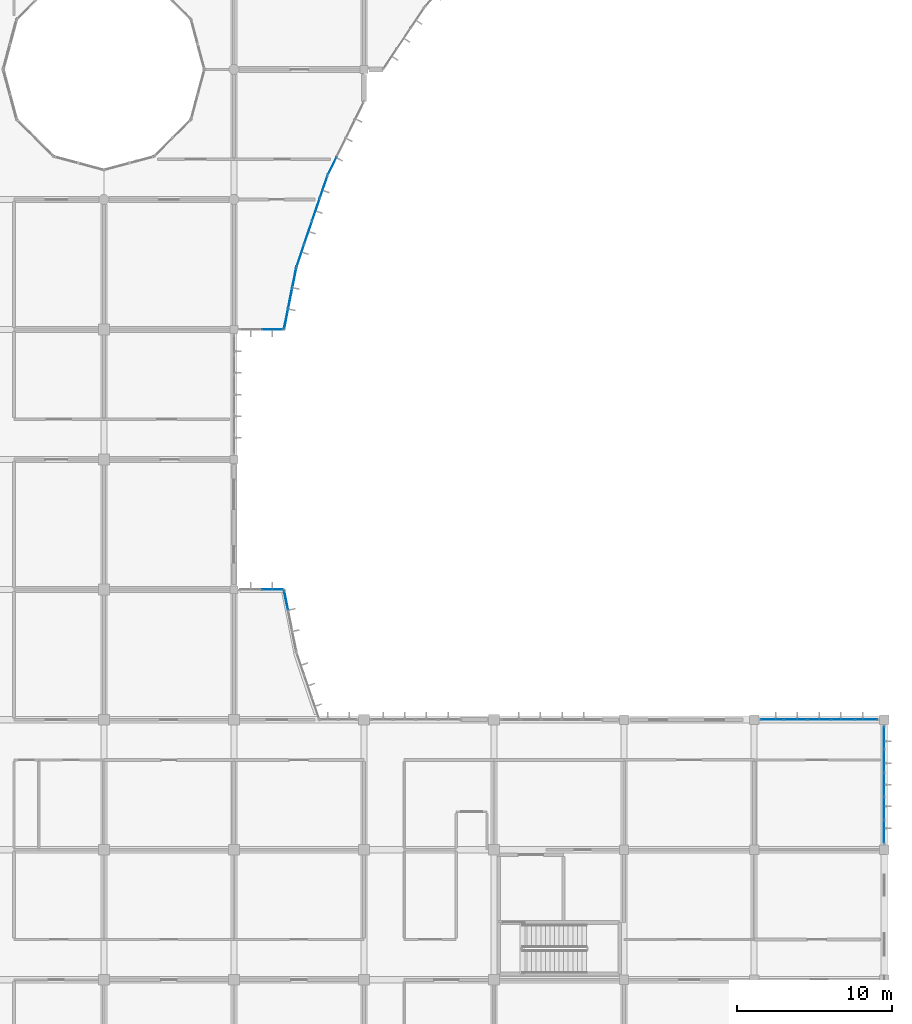
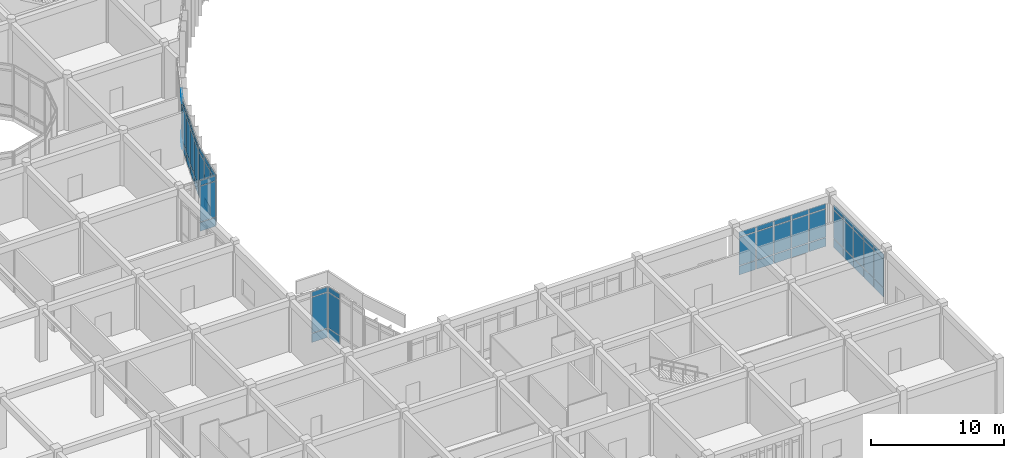
# One storey, part 81 of 134: 63 plates, 8 elements without a shape of their own.
"""IFC4 building model written with IfcOpenShell, lengths in metres."""

from ifc_helpers import new_model, si_unit, direction, frame, origin, origin_2d, place, context, subcontext, project, spatial, rectangle, extrude, material, layer, layer_set, type_object, element, aggregate, save


model = new_model("IFC4")

# Units and contexts
model_context = context("Model", 3, precision=1e-05, world=origin(), true_north=direction((0.0, 1.0)))
body_context = subcontext(model_context, "Body", "Model", "MODEL_VIEW")
ifc_project = project(units=[si_unit("LENGTHUNIT", "METRE"), si_unit("AREAUNIT", "SQUARE_METRE"), si_unit("VOLUMEUNIT", "CUBIC_METRE"), si_unit("PLANEANGLEUNIT", "RADIAN"), si_unit("MASSUNIT", "GRAM", prefix="KILO")], contexts=[model_context])

# Site, building, storey
site_placement = place(None, origin())
site = spatial("IfcSite", under=ifc_project, at=site_placement, CompositionType="ELEMENT")
building_placement = place(site_placement, origin())
building = spatial("IfcBuilding", under=site, at=building_placement, Name="Bramfleet General Hospital", CompositionType="ELEMENT")
storey_placement = place(building_placement, frame((0.0, 0.0, 9.300048828125)))
storey = spatial("IfcBuildingStorey", under=building, at=storey_placement, Name="L02", CompositionType="ELEMENT", Elevation=9.300048828125)

# Curtain wall, plates
ifc_material_1 = material(Name="Anodised aluminium and low-E triple glazing", Category="aluminium")
ifc_layer_1 = layer(ifc_material_1, 0.179931640625, Name="CWT-CW-05")
ifc_layer_set_1 = layer_set([ifc_layer_1], Name="Anodised aluminium and low-E triple glazing")
curtain_wall_type_1 = type_object("IfcCurtainWallType", Name="CWT-CW-05", PredefinedType="USERDEFINED", material=ifc_layer_set_1)
curtain_wall_1_placement = place(storey_placement, origin())
curtain_wall_1 = element("IfcCurtainWall", 1, at=curtain_wall_1_placement, inside=storey, type_object=curtain_wall_type_1, Name="L02 Curtain Wall 113", ObjectType="Unitised curtain wall", PredefinedType="USERDEFINED")
ifc_material_2 = material(Name="Low-E laminated safety glass", Category="glass")
ifc_layer_2 = layer(ifc_material_2, 0.028076171875, Name="CWP-GLZ-1")
ifc_layer_set_2 = layer_set([ifc_layer_2], Name="Low-E laminated safety glass")
plate_type_1 = type_object("IfcPlateType", Name="CWP-GLZ-1", PredefinedType="CURTAIN_PANEL", material=ifc_layer_set_2)
plate_1_placement = place(storey_placement, frame((128.489990234375, 50.39990234375, 0.06494140625), z_axis=(0.0, 0.0, 1.0), x_axis=(-1.0, 0.0, 0.0)))
plate_1 = element("IfcPlate", 2, at=plate_1_placement, type_object=plate_type_1, Name="CW-05 panel 1.1", PredefinedType="CURTAIN_PANEL", context=body_context, shape_type="SweptSolid", body=[
    extrude(rectangle(XDim=1.35009765625, YDim=0.028076171875, at=origin_2d()), origin(), (0.0, 0.0, 1.0), 0.802490234375),
])
plate_2_placement = place(storey_placement, frame((128.489990234375, 50.39990234375, 0.9326171875), z_axis=(0.0, 0.0, 1.0), x_axis=(-1.0, 0.0, 0.0)))
plate_2 = element("IfcPlate", 3, at=plate_2_placement, type_object=plate_type_1, Name="CW-05 panel 1.2", PredefinedType="CURTAIN_PANEL", context=body_context, shape_type="SweptSolid", body=[
    extrude(rectangle(XDim=1.35009765625, YDim=0.028076171875, at=origin_2d()), origin(), (0.0, 0.0, 1.0), 3.2548828125),
])
plate_3_placement = place(storey_placement, frame((128.489990234375, 50.39990234375, 4.25244140625), z_axis=(0.0, 0.0, 1.0), x_axis=(-1.0, 0.0, 0.0)))
plate_3 = element("IfcPlate", 4, at=plate_3_placement, type_object=plate_type_1, Name="CW-05 panel 1.3", PredefinedType="CURTAIN_PANEL", context=body_context, shape_type="SweptSolid", body=[
    extrude(rectangle(XDim=1.35009765625, YDim=0.028076171875, at=origin_2d()), origin(), (0.0, 0.0, 1.0), 0.452392578125),
])
aggregate(curtain_wall_1, [plate_1, plate_2, plate_3])

ifc_layer_3 = layer(ifc_material_1, 0.179931640625, Name="CWT-CW-13")
ifc_layer_set_3 = layer_set([ifc_layer_3], Name="Anodised aluminium and low-E triple glazing")
curtain_wall_type_2 = type_object("IfcCurtainWallType", Name="CWT-CW-13", PredefinedType="USERDEFINED", material=ifc_layer_set_3)
curtain_wall_2_placement = place(storey_placement, origin())
curtain_wall_2 = element("IfcCurtainWall", 5, at=curtain_wall_2_placement, inside=storey, type_object=curtain_wall_type_2, Name="L02 Curtain Wall 121", ObjectType="Stick curtain wall", PredefinedType="USERDEFINED")
plate_4_placement = place(storey_placement, frame((160.757568359375, 25.199951171875, 0.06494140625), z_axis=(0.0, 0.0, 1.0), x_axis=(1.0, 0.0, 0.0)))
plate_4 = element("IfcPlate", 6, at=plate_4_placement, type_object=plate_type_1, Name="CW-13 panel 1.1", PredefinedType="CURTAIN_PANEL", context=body_context, shape_type="SweptSolid", body=[
    extrude(rectangle(XDim=1.425048828125, YDim=0.028076171875, at=origin_2d()), origin(), (0.0, 0.0, 1.0), 0.802490234375),
])
plate_5_placement = place(storey_placement, frame((160.757568359375, 25.199951171875, 0.9326171875), z_axis=(0.0, 0.0, 1.0), x_axis=(1.0, 0.0, 0.0)))
plate_5 = element("IfcPlate", 7, at=plate_5_placement, type_object=plate_type_1, Name="CW-13 panel 1.2", PredefinedType="CURTAIN_PANEL", context=body_context, shape_type="SweptSolid", body=[
    extrude(rectangle(XDim=1.425048828125, YDim=0.028076171875, at=origin_2d()), origin(), (0.0, 0.0, 1.0), 2.554931640625),
])
plate_6_placement = place(storey_placement, frame((160.757568359375, 25.199951171875, 3.552734375), z_axis=(0.0, 0.0, 1.0), x_axis=(1.0, 0.0, 0.0)))
plate_6 = element("IfcPlate", 8, at=plate_6_placement, type_object=plate_type_1, Name="CW-13 panel 1.3", PredefinedType="CURTAIN_PANEL", context=body_context, shape_type="SweptSolid", body=[
    extrude(rectangle(XDim=1.425048828125, YDim=0.028076171875, at=origin_2d()), origin(), (0.0, 0.0, 1.0), 0.452392578125),
])
plate_7_placement = place(storey_placement, frame((162.27001953125, 25.199951171875, 0.06494140625), z_axis=(0.0, 0.0, 1.0), x_axis=(1.0, 0.0, 0.0)))
plate_7 = element("IfcPlate", 9, at=plate_7_placement, type_object=plate_type_1, Name="CW-13 panel 2.1", PredefinedType="CURTAIN_PANEL", context=body_context, shape_type="SweptSolid", body=[
    extrude(rectangle(XDim=1.4599609375, YDim=0.028076171875, at=origin_2d()), origin(), (0.0, 0.0, 1.0), 0.802490234375),
])
plate_8_placement = place(storey_placement, frame((162.27001953125, 25.199951171875, 0.9326171875), z_axis=(0.0, 0.0, 1.0), x_axis=(1.0, 0.0, 0.0)))
plate_8 = element("IfcPlate", 10, at=plate_8_placement, type_object=plate_type_1, Name="CW-13 panel 2.2", PredefinedType="CURTAIN_PANEL", context=body_context, shape_type="SweptSolid", body=[
    extrude(rectangle(XDim=1.4599609375, YDim=0.028076171875, at=origin_2d()), origin(), (0.0, 0.0, 1.0), 2.554931640625),
])
plate_9_placement = place(storey_placement, frame((162.27001953125, 25.199951171875, 3.552734375), z_axis=(0.0, 0.0, 1.0), x_axis=(1.0, 0.0, 0.0)))
plate_9 = element("IfcPlate", 11, at=plate_9_placement, type_object=plate_type_1, Name="CW-13 panel 2.3", PredefinedType="CURTAIN_PANEL", context=body_context, shape_type="SweptSolid", body=[
    extrude(rectangle(XDim=1.4599609375, YDim=0.028076171875, at=origin_2d()), origin(), (0.0, 0.0, 1.0), 0.452392578125),
])
plate_10_placement = place(storey_placement, frame((163.800048828125, 25.199951171875, 0.06494140625), z_axis=(0.0, 0.0, 1.0), x_axis=(1.0, 0.0, 0.0)))
plate_10 = element("IfcPlate", 12, at=plate_10_placement, type_object=plate_type_1, Name="CW-13 panel 3.1", PredefinedType="CURTAIN_PANEL", context=body_context, shape_type="SweptSolid", body=[
    extrude(rectangle(XDim=1.4599609375, YDim=0.028076171875, at=origin_2d()), origin(), (0.0, 0.0, 1.0), 0.802490234375),
])
plate_11_placement = place(storey_placement, frame((163.800048828125, 25.199951171875, 0.9326171875), z_axis=(0.0, 0.0, 1.0), x_axis=(1.0, 0.0, 0.0)))
plate_11 = element("IfcPlate", 13, at=plate_11_placement, type_object=plate_type_1, Name="CW-13 panel 3.2", PredefinedType="CURTAIN_PANEL", context=body_context, shape_type="SweptSolid", body=[
    extrude(rectangle(XDim=1.4599609375, YDim=0.028076171875, at=origin_2d()), origin(), (0.0, 0.0, 1.0), 2.554931640625),
])
plate_12_placement = place(storey_placement, frame((163.800048828125, 25.199951171875, 3.552734375), z_axis=(0.0, 0.0, 1.0), x_axis=(1.0, 0.0, 0.0)))
plate_12 = element("IfcPlate", 14, at=plate_12_placement, type_object=plate_type_1, Name="CW-13 panel 3.3", PredefinedType="CURTAIN_PANEL", context=body_context, shape_type="SweptSolid", body=[
    extrude(rectangle(XDim=1.4599609375, YDim=0.028076171875, at=origin_2d()), origin(), (0.0, 0.0, 1.0), 0.452392578125),
])
plate_13_placement = place(storey_placement, frame((165.330078125, 25.199951171875, 0.06494140625), z_axis=(0.0, 0.0, 1.0), x_axis=(1.0, 0.0, 0.0)))
plate_13 = element("IfcPlate", 15, at=plate_13_placement, type_object=plate_type_1, Name="CW-13 panel 4.1", PredefinedType="CURTAIN_PANEL", context=body_context, shape_type="SweptSolid", body=[
    extrude(rectangle(XDim=1.4599609375, YDim=0.028076171875, at=origin_2d()), origin(), (0.0, 0.0, 1.0), 0.802490234375),
])
plate_14_placement = place(storey_placement, frame((165.330078125, 25.199951171875, 0.9326171875), z_axis=(0.0, 0.0, 1.0), x_axis=(1.0, 0.0, 0.0)))
plate_14 = element("IfcPlate", 16, at=plate_14_placement, type_object=plate_type_1, Name="CW-13 panel 4.2", PredefinedType="CURTAIN_PANEL", context=body_context, shape_type="SweptSolid", body=[
    extrude(rectangle(XDim=1.4599609375, YDim=0.028076171875, at=origin_2d()), origin(), (0.0, 0.0, 1.0), 2.554931640625),
])
plate_15_placement = place(storey_placement, frame((165.330078125, 25.199951171875, 3.552734375), z_axis=(0.0, 0.0, 1.0), x_axis=(1.0, 0.0, 0.0)))
plate_15 = element("IfcPlate", 17, at=plate_15_placement, type_object=plate_type_1, Name="CW-13 panel 4.3", PredefinedType="CURTAIN_PANEL", context=body_context, shape_type="SweptSolid", body=[
    extrude(rectangle(XDim=1.4599609375, YDim=0.028076171875, at=origin_2d()), origin(), (0.0, 0.0, 1.0), 0.452392578125),
])
plate_16_placement = place(storey_placement, frame((166.842529296875, 25.199951171875, 0.06494140625), z_axis=(0.0, 0.0, 1.0), x_axis=(1.0, 0.0, 0.0)))
plate_16 = element("IfcPlate", 18, at=plate_16_placement, type_object=plate_type_1, Name="CW-13 panel 5.1", PredefinedType="CURTAIN_PANEL", context=body_context, shape_type="SweptSolid", body=[
    extrude(rectangle(XDim=1.425048828125, YDim=0.028076171875, at=origin_2d()), origin(), (0.0, 0.0, 1.0), 0.802490234375),
])
plate_17_placement = place(storey_placement, frame((166.842529296875, 25.199951171875, 0.9326171875), z_axis=(0.0, 0.0, 1.0), x_axis=(1.0, 0.0, 0.0)))
plate_17 = element("IfcPlate", 19, at=plate_17_placement, type_object=plate_type_1, Name="CW-13 panel 5.2", PredefinedType="CURTAIN_PANEL", context=body_context, shape_type="SweptSolid", body=[
    extrude(rectangle(XDim=1.425048828125, YDim=0.028076171875, at=origin_2d()), origin(), (0.0, 0.0, 1.0), 2.554931640625),
])
plate_18_placement = place(storey_placement, frame((166.842529296875, 25.199951171875, 3.552734375), z_axis=(0.0, 0.0, 1.0), x_axis=(1.0, 0.0, 0.0)))
plate_18 = element("IfcPlate", 20, at=plate_18_placement, type_object=plate_type_1, Name="CW-13 panel 5.3", PredefinedType="CURTAIN_PANEL", context=body_context, shape_type="SweptSolid", body=[
    extrude(rectangle(XDim=1.425048828125, YDim=0.028076171875, at=origin_2d()), origin(), (0.0, 0.0, 1.0), 0.452392578125),
])
aggregate(curtain_wall_2, [plate_4, plate_5, plate_6, plate_7, plate_8, plate_9, plate_10, plate_11, plate_12, plate_13, plate_14, plate_15, plate_16, plate_17, plate_18])

ifc_layer_4 = layer(ifc_material_1, 0.179931640625, Name="CWT-CW-02")
ifc_layer_set_4 = layer_set([ifc_layer_4], Name="Anodised aluminium and low-E triple glazing")
curtain_wall_type_3 = type_object("IfcCurtainWallType", Name="CWT-CW-02", PredefinedType="USERDEFINED", material=ifc_layer_set_4)
curtain_wall_3_placement = place(storey_placement, origin())
curtain_wall_3 = element("IfcCurtainWall", 21, at=curtain_wall_3_placement, inside=storey, type_object=curtain_wall_type_3, Name="L02 Curtain Wall 110", ObjectType="Unitised curtain wall", PredefinedType="USERDEFINED")
ifc_layer_5 = layer(ifc_material_2, 0.031982421875, Name="CWP-GLZ-2")
ifc_layer_set_5 = layer_set([ifc_layer_5], Name="Low-E laminated safety glass")
plate_type_2 = type_object("IfcPlateType", Name="CWP-GLZ-2", PredefinedType="CURTAIN_PANEL", material=ifc_layer_set_5)
plate_19_placement = place(storey_placement, frame((132.35498046875, 60.979248046875, 0.06494140625), z_axis=(0.0, 0.0, 1.0), x_axis=(-0.442304948782, -0.896864723513, 0.0)))
plate_19 = element("IfcPlate", 22, at=plate_19_placement, type_object=plate_type_2, Name="CW-02 panel 4.1", PredefinedType="CURTAIN_PANEL", context=body_context, shape_type="SweptSolid", body=[
    extrude(rectangle(XDim=1.220947265625, YDim=0.031982421875, at=origin_2d()), origin(), (0.0, 0.0, 1.0), 0.802490234375),
])
plate_20_placement = place(storey_placement, frame((132.35498046875, 60.979248046875, 0.9326171875), z_axis=(0.0, 0.0, 1.0), x_axis=(-0.442304948782, -0.896864723513, 0.0)))
plate_20 = element("IfcPlate", 23, at=plate_20_placement, type_object=plate_type_2, Name="CW-02 panel 4.2", PredefinedType="CURTAIN_PANEL", context=body_context, shape_type="SweptSolid", body=[
    extrude(rectangle(XDim=1.220947265625, YDim=0.031982421875, at=origin_2d()), origin(), (0.0, 0.0, 1.0), 3.2548828125),
])
plate_21_placement = place(storey_placement, frame((132.35498046875, 60.979248046875, 4.25244140625), z_axis=(0.0, 0.0, 1.0), x_axis=(-0.442304948782, -0.896864723513, 0.0)))
plate_21 = element("IfcPlate", 24, at=plate_21_placement, type_object=plate_type_2, Name="CW-02 panel 4.3", PredefinedType="CURTAIN_PANEL", context=body_context, shape_type="SweptSolid", body=[
    extrude(rectangle(XDim=1.220947265625, YDim=0.031982421875, at=origin_2d()), origin(), (0.0, 0.0, 1.0), 0.452392578125),
])
aggregate(curtain_wall_3, [plate_19, plate_20, plate_21])

ifc_layer_6 = layer(ifc_material_1, 0.179931640625, Name="CWT-CW-14")
ifc_layer_set_6 = layer_set([ifc_layer_6], Name="Anodised aluminium and low-E triple glazing")
curtain_wall_type_4 = type_object("IfcCurtainWallType", Name="CWT-CW-14", PredefinedType="USERDEFINED", material=ifc_layer_set_6)
curtain_wall_4_placement = place(storey_placement, origin())
curtain_wall_4 = element("IfcCurtainWall", 25, at=curtain_wall_4_placement, inside=storey, type_object=curtain_wall_type_4, Name="L02 Curtain Wall 122", ObjectType="Stick curtain wall", PredefinedType="USERDEFINED")
plate_22_placement = place(storey_placement, frame((168.0, 24.04248046875, 0.06494140625), z_axis=(0.0, 0.0, 1.0), x_axis=(0.0, -1.0, 0.0)))
plate_22 = element("IfcPlate", 26, at=plate_22_placement, type_object=plate_type_2, Name="CW-14 panel 1.1", PredefinedType="CURTAIN_PANEL", context=body_context, shape_type="SweptSolid", body=[
    extrude(rectangle(XDim=1.425048828125, YDim=0.031982421875, at=origin_2d()), origin(), (0.0, 0.0, 1.0), 0.802490234375),
])
plate_23_placement = place(storey_placement, frame((168.0, 24.04248046875, 0.9326171875), z_axis=(0.0, 0.0, 1.0), x_axis=(0.0, -1.0, 0.0)))
plate_23 = element("IfcPlate", 27, at=plate_23_placement, type_object=plate_type_2, Name="CW-14 panel 1.2", PredefinedType="CURTAIN_PANEL", context=body_context, shape_type="SweptSolid", body=[
    extrude(rectangle(XDim=1.425048828125, YDim=0.031982421875, at=origin_2d()), origin(), (0.0, 0.0, 1.0), 2.554931640625),
])
plate_24_placement = place(storey_placement, frame((168.0, 24.04248046875, 3.552734375), z_axis=(0.0, 0.0, 1.0), x_axis=(0.0, -1.0, 0.0)))
plate_24 = element("IfcPlate", 28, at=plate_24_placement, type_object=plate_type_2, Name="CW-14 panel 1.3", PredefinedType="CURTAIN_PANEL", context=body_context, shape_type="SweptSolid", body=[
    extrude(rectangle(XDim=1.425048828125, YDim=0.031982421875, at=origin_2d()), origin(), (0.0, 0.0, 1.0), 0.452392578125),
])
plate_25_placement = place(storey_placement, frame((168.0, 22.530029296875, 0.06494140625), z_axis=(0.0, 0.0, 1.0), x_axis=(0.0, -1.0, 0.0)))
plate_25 = element("IfcPlate", 29, at=plate_25_placement, type_object=plate_type_2, Name="CW-14 panel 2.1", PredefinedType="CURTAIN_PANEL", context=body_context, shape_type="SweptSolid", body=[
    extrude(rectangle(XDim=1.4599609375, YDim=0.031982421875, at=origin_2d()), origin(), (0.0, 0.0, 1.0), 0.802490234375),
])
plate_26_placement = place(storey_placement, frame((168.0, 22.530029296875, 0.9326171875), z_axis=(0.0, 0.0, 1.0), x_axis=(0.0, -1.0, 0.0)))
plate_26 = element("IfcPlate", 30, at=plate_26_placement, type_object=plate_type_2, Name="CW-14 panel 2.2", PredefinedType="CURTAIN_PANEL", context=body_context, shape_type="SweptSolid", body=[
    extrude(rectangle(XDim=1.4599609375, YDim=0.031982421875, at=origin_2d()), origin(), (0.0, 0.0, 1.0), 2.554931640625),
])
plate_27_placement = place(storey_placement, frame((168.0, 22.530029296875, 3.552734375), z_axis=(0.0, 0.0, 1.0), x_axis=(0.0, -1.0, 0.0)))
plate_27 = element("IfcPlate", 31, at=plate_27_placement, type_object=plate_type_2, Name="CW-14 panel 2.3", PredefinedType="CURTAIN_PANEL", context=body_context, shape_type="SweptSolid", body=[
    extrude(rectangle(XDim=1.4599609375, YDim=0.031982421875, at=origin_2d()), origin(), (0.0, 0.0, 1.0), 0.452392578125),
])
plate_28_placement = place(storey_placement, frame((168.0, 21.0, 0.06494140625), z_axis=(0.0, 0.0, 1.0), x_axis=(0.0, -1.0, 0.0)))
plate_28 = element("IfcPlate", 32, at=plate_28_placement, type_object=plate_type_2, Name="CW-14 panel 3.1", PredefinedType="CURTAIN_PANEL", context=body_context, shape_type="SweptSolid", body=[
    extrude(rectangle(XDim=1.4599609375, YDim=0.031982421875, at=origin_2d()), origin(), (0.0, 0.0, 1.0), 0.802490234375),
])
plate_29_placement = place(storey_placement, frame((168.0, 21.0, 0.9326171875), z_axis=(0.0, 0.0, 1.0), x_axis=(0.0, -1.0, 0.0)))
plate_29 = element("IfcPlate", 33, at=plate_29_placement, type_object=plate_type_2, Name="CW-14 panel 3.2", PredefinedType="CURTAIN_PANEL", context=body_context, shape_type="SweptSolid", body=[
    extrude(rectangle(XDim=1.4599609375, YDim=0.031982421875, at=origin_2d()), origin(), (0.0, 0.0, 1.0), 2.554931640625),
])
plate_30_placement = place(storey_placement, frame((168.0, 21.0, 3.552734375), z_axis=(0.0, 0.0, 1.0), x_axis=(0.0, -1.0, 0.0)))
plate_30 = element("IfcPlate", 34, at=plate_30_placement, type_object=plate_type_2, Name="CW-14 panel 3.3", PredefinedType="CURTAIN_PANEL", context=body_context, shape_type="SweptSolid", body=[
    extrude(rectangle(XDim=1.4599609375, YDim=0.031982421875, at=origin_2d()), origin(), (0.0, 0.0, 1.0), 0.452392578125),
])
plate_31_placement = place(storey_placement, frame((168.0, 19.469970703125, 0.06494140625), z_axis=(0.0, 0.0, 1.0), x_axis=(0.0, -1.0, 0.0)))
plate_31 = element("IfcPlate", 35, at=plate_31_placement, type_object=plate_type_2, Name="CW-14 panel 4.1", PredefinedType="CURTAIN_PANEL", context=body_context, shape_type="SweptSolid", body=[
    extrude(rectangle(XDim=1.4599609375, YDim=0.031982421875, at=origin_2d()), origin(), (0.0, 0.0, 1.0), 0.802490234375),
])
plate_32_placement = place(storey_placement, frame((168.0, 19.469970703125, 0.9326171875), z_axis=(0.0, 0.0, 1.0), x_axis=(0.0, -1.0, 0.0)))
plate_32 = element("IfcPlate", 36, at=plate_32_placement, type_object=plate_type_2, Name="CW-14 panel 4.2", PredefinedType="CURTAIN_PANEL", context=body_context, shape_type="SweptSolid", body=[
    extrude(rectangle(XDim=1.4599609375, YDim=0.031982421875, at=origin_2d()), origin(), (0.0, 0.0, 1.0), 2.554931640625),
])
plate_33_placement = place(storey_placement, frame((168.0, 19.469970703125, 3.552734375), z_axis=(0.0, 0.0, 1.0), x_axis=(0.0, -1.0, 0.0)))
plate_33 = element("IfcPlate", 37, at=plate_33_placement, type_object=plate_type_2, Name="CW-14 panel 4.3", PredefinedType="CURTAIN_PANEL", context=body_context, shape_type="SweptSolid", body=[
    extrude(rectangle(XDim=1.4599609375, YDim=0.031982421875, at=origin_2d()), origin(), (0.0, 0.0, 1.0), 0.452392578125),
])
plate_34_placement = place(storey_placement, frame((168.0, 17.95751953125, 0.06494140625), z_axis=(0.0, 0.0, 1.0), x_axis=(0.0, -1.0, 0.0)))
plate_34 = element("IfcPlate", 38, at=plate_34_placement, type_object=plate_type_2, Name="CW-14 panel 5.1", PredefinedType="CURTAIN_PANEL", context=body_context, shape_type="SweptSolid", body=[
    extrude(rectangle(XDim=1.425048828125, YDim=0.031982421875, at=origin_2d()), origin(), (0.0, 0.0, 1.0), 0.802490234375),
])
plate_35_placement = place(storey_placement, frame((168.0, 17.95751953125, 0.9326171875), z_axis=(0.0, 0.0, 1.0), x_axis=(0.0, -1.0, 0.0)))
plate_35 = element("IfcPlate", 39, at=plate_35_placement, type_object=plate_type_2, Name="CW-14 panel 5.2", PredefinedType="CURTAIN_PANEL", context=body_context, shape_type="SweptSolid", body=[
    extrude(rectangle(XDim=1.425048828125, YDim=0.031982421875, at=origin_2d()), origin(), (0.0, 0.0, 1.0), 2.554931640625),
])
plate_36_placement = place(storey_placement, frame((168.0, 17.95751953125, 3.552734375), z_axis=(0.0, 0.0, 1.0), x_axis=(0.0, -1.0, 0.0)))
plate_36 = element("IfcPlate", 40, at=plate_36_placement, type_object=plate_type_2, Name="CW-14 panel 5.3", PredefinedType="CURTAIN_PANEL", context=body_context, shape_type="SweptSolid", body=[
    extrude(rectangle(XDim=1.425048828125, YDim=0.031982421875, at=origin_2d()), origin(), (0.0, 0.0, 1.0), 0.452392578125),
])
aggregate(curtain_wall_4, [plate_22, plate_23, plate_24, plate_25, plate_26, plate_27, plate_28, plate_29, plate_30, plate_31, plate_32, plate_33, plate_34, plate_35, plate_36])

ifc_layer_7 = layer(ifc_material_1, 0.179931640625, Name="CWT-CW-03")
ifc_layer_set_7 = layer_set([ifc_layer_7], Name="Anodised aluminium and low-E triple glazing")
curtain_wall_type_5 = type_object("IfcCurtainWallType", Name="CWT-CW-03", PredefinedType="USERDEFINED", material=ifc_layer_set_7)
curtain_wall_5_placement = place(storey_placement, origin())
curtain_wall_5 = element("IfcCurtainWall", 41, at=curtain_wall_5_placement, inside=storey, type_object=curtain_wall_type_5, Name="L02 Curtain Wall 111", ObjectType="Unitised curtain wall", PredefinedType="USERDEFINED")
ifc_layer_8 = layer(ifc_material_2, 0.035888671875, Name="CWP-GLZ-3")
ifc_layer_set_8 = layer_set([ifc_layer_8], Name="Low-E laminated safety glass")
plate_type_3 = type_object("IfcPlateType", Name="CWP-GLZ-3", PredefinedType="CURTAIN_PANEL", material=ifc_layer_set_8)
plate_37_placement = place(storey_placement, frame((131.796142578125, 59.609130859375, 0.06494140625), z_axis=(0.0, 0.0, 1.0), x_axis=(-0.321383054181, -0.946949276617, 0.0)))
plate_37 = element("IfcPlate", 42, at=plate_37_placement, type_object=plate_type_3, Name="CW-03 panel 1.1", PredefinedType="CURTAIN_PANEL", context=body_context, shape_type="SweptSolid", body=[
    extrude(rectangle(XDim=1.46484375, YDim=0.035888671875, at=origin_2d()), origin(), (0.0, 0.0, 1.0), 0.802490234375),
])
plate_38_placement = place(storey_placement, frame((131.796142578125, 59.609130859375, 0.9326171875), z_axis=(0.0, 0.0, 1.0), x_axis=(-0.321383054181, -0.946949276617, 0.0)))
plate_38 = element("IfcPlate", 43, at=plate_38_placement, type_object=plate_type_3, Name="CW-03 panel 1.2", PredefinedType="CURTAIN_PANEL", context=body_context, shape_type="SweptSolid", body=[
    extrude(rectangle(XDim=1.46484375, YDim=0.035888671875, at=origin_2d()), origin(), (0.0, 0.0, 1.0), 3.2548828125),
])
plate_39_placement = place(storey_placement, frame((131.796142578125, 59.609130859375, 4.25244140625), z_axis=(0.0, 0.0, 1.0), x_axis=(-0.321383054181, -0.946949276617, 0.0)))
plate_39 = element("IfcPlate", 44, at=plate_39_placement, type_object=plate_type_3, Name="CW-03 panel 1.3", PredefinedType="CURTAIN_PANEL", context=body_context, shape_type="SweptSolid", body=[
    extrude(rectangle(XDim=1.46484375, YDim=0.035888671875, at=origin_2d()), origin(), (0.0, 0.0, 1.0), 0.452392578125),
])
plate_40_placement = place(storey_placement, frame((131.29736328125, 58.13916015625, 0.06494140625), z_axis=(0.0, 0.0, 1.0), x_axis=(-0.321383054181, -0.946949276617, 0.0)))
plate_40 = element("IfcPlate", 45, at=plate_40_placement, type_object=plate_type_3, Name="CW-03 panel 2.1", PredefinedType="CURTAIN_PANEL", context=body_context, shape_type="SweptSolid", body=[
    extrude(rectangle(XDim=1.499755859375, YDim=0.035888671875, at=origin_2d()), origin(), (0.0, 0.0, 1.0), 0.802490234375),
])
plate_41_placement = place(storey_placement, frame((131.29736328125, 58.13916015625, 0.9326171875), z_axis=(0.0, 0.0, 1.0), x_axis=(-0.321383054181, -0.946949276617, 0.0)))
plate_41 = element("IfcPlate", 46, at=plate_41_placement, type_object=plate_type_3, Name="CW-03 panel 2.2", PredefinedType="CURTAIN_PANEL", context=body_context, shape_type="SweptSolid", body=[
    extrude(rectangle(XDim=1.499755859375, YDim=0.035888671875, at=origin_2d()), origin(), (0.0, 0.0, 1.0), 3.2548828125),
])
plate_42_placement = place(storey_placement, frame((131.29736328125, 58.13916015625, 4.25244140625), z_axis=(0.0, 0.0, 1.0), x_axis=(-0.321383054181, -0.946949276617, 0.0)))
plate_42 = element("IfcPlate", 47, at=plate_42_placement, type_object=plate_type_3, Name="CW-03 panel 2.3", PredefinedType="CURTAIN_PANEL", context=body_context, shape_type="SweptSolid", body=[
    extrude(rectangle(XDim=1.499755859375, YDim=0.035888671875, at=origin_2d()), origin(), (0.0, 0.0, 1.0), 0.452392578125),
])
plate_43_placement = place(storey_placement, frame((130.792724609375, 56.65283203125, 0.06494140625), z_axis=(0.0, 0.0, 1.0), x_axis=(-0.321383054181, -0.946949276617, 0.0)))
plate_43 = element("IfcPlate", 48, at=plate_43_placement, type_object=plate_type_3, Name="CW-03 panel 3.1", PredefinedType="CURTAIN_PANEL", context=body_context, shape_type="SweptSolid", body=[
    extrude(rectangle(XDim=1.499755859375, YDim=0.035888671875, at=origin_2d()), origin(), (0.0, 0.0, 1.0), 0.802490234375),
])
plate_44_placement = place(storey_placement, frame((130.792724609375, 56.65283203125, 0.9326171875), z_axis=(0.0, 0.0, 1.0), x_axis=(-0.321383054181, -0.946949276617, 0.0)))
plate_44 = element("IfcPlate", 49, at=plate_44_placement, type_object=plate_type_3, Name="CW-03 panel 3.2", PredefinedType="CURTAIN_PANEL", context=body_context, shape_type="SweptSolid", body=[
    extrude(rectangle(XDim=1.499755859375, YDim=0.035888671875, at=origin_2d()), origin(), (0.0, 0.0, 1.0), 3.2548828125),
])
plate_45_placement = place(storey_placement, frame((130.792724609375, 56.65283203125, 4.25244140625), z_axis=(0.0, 0.0, 1.0), x_axis=(-0.321383054181, -0.946949276617, 0.0)))
plate_45 = element("IfcPlate", 50, at=plate_45_placement, type_object=plate_type_3, Name="CW-03 panel 3.3", PredefinedType="CURTAIN_PANEL", context=body_context, shape_type="SweptSolid", body=[
    extrude(rectangle(XDim=1.499755859375, YDim=0.035888671875, at=origin_2d()), origin(), (0.0, 0.0, 1.0), 0.452392578125),
])
plate_46_placement = place(storey_placement, frame((130.2939453125, 55.182861328125, 0.06494140625), z_axis=(0.0, 0.0, 1.0), x_axis=(-0.321383054181, -0.946949276617, 0.0)))
plate_46 = element("IfcPlate", 51, at=plate_46_placement, type_object=plate_type_3, Name="CW-03 panel 4.1", PredefinedType="CURTAIN_PANEL", context=body_context, shape_type="SweptSolid", body=[
    extrude(rectangle(XDim=1.46484375, YDim=0.035888671875, at=origin_2d()), origin(), (0.0, 0.0, 1.0), 0.802490234375),
])
plate_47_placement = place(storey_placement, frame((130.2939453125, 55.182861328125, 0.9326171875), z_axis=(0.0, 0.0, 1.0), x_axis=(-0.321383054181, -0.946949276617, 0.0)))
plate_47 = element("IfcPlate", 52, at=plate_47_placement, type_object=plate_type_3, Name="CW-03 panel 4.2", PredefinedType="CURTAIN_PANEL", context=body_context, shape_type="SweptSolid", body=[
    extrude(rectangle(XDim=1.46484375, YDim=0.035888671875, at=origin_2d()), origin(), (0.0, 0.0, 1.0), 3.2548828125),
])
plate_48_placement = place(storey_placement, frame((130.2939453125, 55.182861328125, 4.25244140625), z_axis=(0.0, 0.0, 1.0), x_axis=(-0.321383054181, -0.946949276617, 0.0)))
plate_48 = element("IfcPlate", 53, at=plate_48_placement, type_object=plate_type_3, Name="CW-03 panel 4.3", PredefinedType="CURTAIN_PANEL", context=body_context, shape_type="SweptSolid", body=[
    extrude(rectangle(XDim=1.46484375, YDim=0.035888671875, at=origin_2d()), origin(), (0.0, 0.0, 1.0), 0.452392578125),
])
aggregate(curtain_wall_5, [plate_37, plate_38, plate_39, plate_40, plate_41, plate_42, plate_43, plate_44, plate_45, plate_46, plate_47, plate_48])

ifc_layer_9 = layer(ifc_material_1, 0.179931640625, Name="CWT-CW-07")
ifc_layer_set_9 = layer_set([ifc_layer_9], Name="Anodised aluminium and low-E triple glazing")
curtain_wall_type_6 = type_object("IfcCurtainWallType", Name="CWT-CW-07", PredefinedType="USERDEFINED", material=ifc_layer_set_9)
curtain_wall_6_placement = place(storey_placement, origin())
curtain_wall_6 = element("IfcCurtainWall", 54, at=curtain_wall_6_placement, inside=storey, type_object=curtain_wall_type_6, Name="L02 Curtain Wall 115", ObjectType="Unitised curtain wall", PredefinedType="USERDEFINED")
plate_49_placement = place(storey_placement, frame((128.489990234375, 33.60009765625, 0.06494140625), z_axis=(0.0, 0.0, 1.0), x_axis=(1.0, 0.0, 0.0)))
plate_49 = element("IfcPlate", 55, at=plate_49_placement, type_object=plate_type_3, Name="CW-07 panel 2.1", PredefinedType="CURTAIN_PANEL", context=body_context, shape_type="SweptSolid", body=[
    extrude(rectangle(XDim=1.35009765625, YDim=0.035888671875, at=origin_2d()), origin(), (0.0, 0.0, 1.0), 0.802490234375),
])
plate_50_placement = place(storey_placement, frame((128.489990234375, 33.60009765625, 0.9326171875), z_axis=(0.0, 0.0, 1.0), x_axis=(1.0, 0.0, 0.0)))
plate_50 = element("IfcPlate", 56, at=plate_50_placement, type_object=plate_type_3, Name="CW-07 panel 2.2", PredefinedType="CURTAIN_PANEL", context=body_context, shape_type="SweptSolid", body=[
    extrude(rectangle(XDim=1.35009765625, YDim=0.035888671875, at=origin_2d()), origin(), (0.0, 0.0, 1.0), 3.2548828125),
])
plate_51_placement = place(storey_placement, frame((128.489990234375, 33.60009765625, 4.25244140625), z_axis=(0.0, 0.0, 1.0), x_axis=(1.0, 0.0, 0.0)))
plate_51 = element("IfcPlate", 57, at=plate_51_placement, type_object=plate_type_3, Name="CW-07 panel 2.3", PredefinedType="CURTAIN_PANEL", context=body_context, shape_type="SweptSolid", body=[
    extrude(rectangle(XDim=1.35009765625, YDim=0.035888671875, at=origin_2d()), origin(), (0.0, 0.0, 1.0), 0.452392578125),
])
aggregate(curtain_wall_6, [plate_49, plate_50, plate_51])

ifc_layer_10 = layer(ifc_material_1, 0.179931640625, Name="CWT-CW-04")
ifc_layer_set_10 = layer_set([ifc_layer_10], Name="Anodised aluminium and low-E triple glazing")
curtain_wall_type_7 = type_object("IfcCurtainWallType", Name="CWT-CW-04", PredefinedType="USERDEFINED", material=ifc_layer_set_10)
curtain_wall_7_placement = place(storey_placement, origin())
curtain_wall_7 = element("IfcCurtainWall", 58, at=curtain_wall_7_placement, inside=storey, type_object=curtain_wall_type_7, Name="L02 Curtain Wall 112", ObjectType="Unitised curtain wall", PredefinedType="USERDEFINED")
ifc_layer_11 = layer(ifc_material_2, 0.0419921875, Name="CWP-GLZ-4")
ifc_layer_set_11 = layer_set([ifc_layer_11], Name="Low-E laminated safety glass")
plate_type_4 = type_object("IfcPlateType", Name="CWP-GLZ-4", PredefinedType="CURTAIN_PANEL", material=ifc_layer_set_11)
plate_52_placement = place(storey_placement, frame((129.899169921875, 53.7353515625, 0.06494140625), z_axis=(0.0, 0.0, 1.0), x_axis=(-0.195272189606, -0.980749087161, 0.0)))
plate_52 = element("IfcPlate", 59, at=plate_52_placement, type_object=plate_type_4, Name="CW-04 panel 1.1", PredefinedType="CURTAIN_PANEL", context=body_context, shape_type="SweptSolid", body=[
    extrude(rectangle(XDim=1.26220703125, YDim=0.0419921875, at=origin_2d()), origin(), (0.0, 0.0, 1.0), 0.802490234375),
])
plate_53_placement = place(storey_placement, frame((129.899169921875, 53.7353515625, 0.9326171875), z_axis=(0.0, 0.0, 1.0), x_axis=(-0.195272189606, -0.980749087161, 0.0)))
plate_53 = element("IfcPlate", 60, at=plate_53_placement, type_object=plate_type_4, Name="CW-04 panel 1.2", PredefinedType="CURTAIN_PANEL", context=body_context, shape_type="SweptSolid", body=[
    extrude(rectangle(XDim=1.26220703125, YDim=0.0419921875, at=origin_2d()), origin(), (0.0, 0.0, 1.0), 3.2548828125),
])
plate_54_placement = place(storey_placement, frame((129.899169921875, 53.7353515625, 4.25244140625), z_axis=(0.0, 0.0, 1.0), x_axis=(-0.195272189606, -0.980749087161, 0.0)))
plate_54 = element("IfcPlate", 61, at=plate_54_placement, type_object=plate_type_4, Name="CW-04 panel 1.3", PredefinedType="CURTAIN_PANEL", context=body_context, shape_type="SweptSolid", body=[
    extrude(rectangle(XDim=1.26220703125, YDim=0.0419921875, at=origin_2d()), origin(), (0.0, 0.0, 1.0), 0.452392578125),
])
plate_55_placement = place(storey_placement, frame((129.635498046875, 52.41162109375, 0.06494140625), z_axis=(0.0, 0.0, 1.0), x_axis=(-0.195272189606, -0.980749087161, 0.0)))
plate_55 = element("IfcPlate", 62, at=plate_55_placement, type_object=plate_type_4, Name="CW-04 panel 2.1", PredefinedType="CURTAIN_PANEL", context=body_context, shape_type="SweptSolid", body=[
    extrude(rectangle(XDim=1.29736328125, YDim=0.0419921875, at=origin_2d()), origin(), (0.0, 0.0, 1.0), 0.802490234375),
])
plate_56_placement = place(storey_placement, frame((129.635498046875, 52.41162109375, 0.9326171875), z_axis=(0.0, 0.0, 1.0), x_axis=(-0.195272189606, -0.980749087161, 0.0)))
plate_56 = element("IfcPlate", 63, at=plate_56_placement, type_object=plate_type_4, Name="CW-04 panel 2.2", PredefinedType="CURTAIN_PANEL", context=body_context, shape_type="SweptSolid", body=[
    extrude(rectangle(XDim=1.29736328125, YDim=0.0419921875, at=origin_2d()), origin(), (0.0, 0.0, 1.0), 3.2548828125),
])
plate_57_placement = place(storey_placement, frame((129.635498046875, 52.41162109375, 4.25244140625), z_axis=(0.0, 0.0, 1.0), x_axis=(-0.195272189606, -0.980749087161, 0.0)))
plate_57 = element("IfcPlate", 64, at=plate_57_placement, type_object=plate_type_4, Name="CW-04 panel 2.3", PredefinedType="CURTAIN_PANEL", context=body_context, shape_type="SweptSolid", body=[
    extrude(rectangle(XDim=1.29736328125, YDim=0.0419921875, at=origin_2d()), origin(), (0.0, 0.0, 1.0), 0.452392578125),
])
plate_58_placement = place(storey_placement, frame((129.371826171875, 51.087646484375, 0.06494140625), z_axis=(0.0, 0.0, 1.0), x_axis=(-0.195272189606, -0.980749087161, 0.0)))
plate_58 = element("IfcPlate", 65, at=plate_58_placement, type_object=plate_type_4, Name="CW-04 panel 3.1", PredefinedType="CURTAIN_PANEL", context=body_context, shape_type="SweptSolid", body=[
    extrude(rectangle(XDim=1.26220703125, YDim=0.0419921875, at=origin_2d()), origin(), (0.0, 0.0, 1.0), 0.802490234375),
])
plate_59_placement = place(storey_placement, frame((129.371826171875, 51.087646484375, 0.9326171875), z_axis=(0.0, 0.0, 1.0), x_axis=(-0.195272189606, -0.980749087161, 0.0)))
plate_59 = element("IfcPlate", 66, at=plate_59_placement, type_object=plate_type_4, Name="CW-04 panel 3.2", PredefinedType="CURTAIN_PANEL", context=body_context, shape_type="SweptSolid", body=[
    extrude(rectangle(XDim=1.26220703125, YDim=0.0419921875, at=origin_2d()), origin(), (0.0, 0.0, 1.0), 3.2548828125),
])
plate_60_placement = place(storey_placement, frame((129.371826171875, 51.087646484375, 4.25244140625), z_axis=(0.0, 0.0, 1.0), x_axis=(-0.195272189606, -0.980749087161, 0.0)))
plate_60 = element("IfcPlate", 67, at=plate_60_placement, type_object=plate_type_4, Name="CW-04 panel 3.3", PredefinedType="CURTAIN_PANEL", context=body_context, shape_type="SweptSolid", body=[
    extrude(rectangle(XDim=1.26220703125, YDim=0.0419921875, at=origin_2d()), origin(), (0.0, 0.0, 1.0), 0.452392578125),
])
aggregate(curtain_wall_7, [plate_52, plate_53, plate_54, plate_55, plate_56, plate_57, plate_58, plate_59, plate_60])

ifc_layer_12 = layer(ifc_material_1, 0.179931640625, Name="CWT-CW-08")
ifc_layer_set_12 = layer_set([ifc_layer_12], Name="Anodised aluminium and low-E triple glazing")
curtain_wall_type_8 = type_object("IfcCurtainWallType", Name="CWT-CW-08", PredefinedType="USERDEFINED", material=ifc_layer_set_12)
curtain_wall_8_placement = place(storey_placement, origin())
curtain_wall_8 = element("IfcCurtainWall", 68, at=curtain_wall_8_placement, inside=storey, type_object=curtain_wall_type_8, Name="L02 Curtain Wall 116", ObjectType="Unitised curtain wall", PredefinedType="USERDEFINED")
plate_61_placement = place(storey_placement, frame((129.371826171875, 32.912353515625, 0.06494140625), z_axis=(0.0, 0.0, 1.0), x_axis=(0.195272189606, -0.980749087161, 0.0)))
plate_61 = element("IfcPlate", 69, at=plate_61_placement, type_object=plate_type_4, Name="CW-08 panel 1.1", PredefinedType="CURTAIN_PANEL", context=body_context, shape_type="SweptSolid", body=[
    extrude(rectangle(XDim=1.26220703125, YDim=0.0419921875, at=origin_2d()), origin(), (0.0, 0.0, 1.0), 0.802490234375),
])
plate_62_placement = place(storey_placement, frame((129.371826171875, 32.912353515625, 0.9326171875), z_axis=(0.0, 0.0, 1.0), x_axis=(0.195272189606, -0.980749087161, 0.0)))
plate_62 = element("IfcPlate", 70, at=plate_62_placement, type_object=plate_type_4, Name="CW-08 panel 1.2", PredefinedType="CURTAIN_PANEL", context=body_context, shape_type="SweptSolid", body=[
    extrude(rectangle(XDim=1.26220703125, YDim=0.0419921875, at=origin_2d()), origin(), (0.0, 0.0, 1.0), 3.2548828125),
])
plate_63_placement = place(storey_placement, frame((129.371826171875, 32.912353515625, 4.25244140625), z_axis=(0.0, 0.0, 1.0), x_axis=(0.195272189606, -0.980749087161, 0.0)))
plate_63 = element("IfcPlate", 71, at=plate_63_placement, type_object=plate_type_4, Name="CW-08 panel 1.3", PredefinedType="CURTAIN_PANEL", context=body_context, shape_type="SweptSolid", body=[
    extrude(rectangle(XDim=1.26220703125, YDim=0.0419921875, at=origin_2d()), origin(), (0.0, 0.0, 1.0), 0.452392578125),
])
aggregate(curtain_wall_8, [plate_61, plate_62, plate_63])

save(model, "model.ifc")
